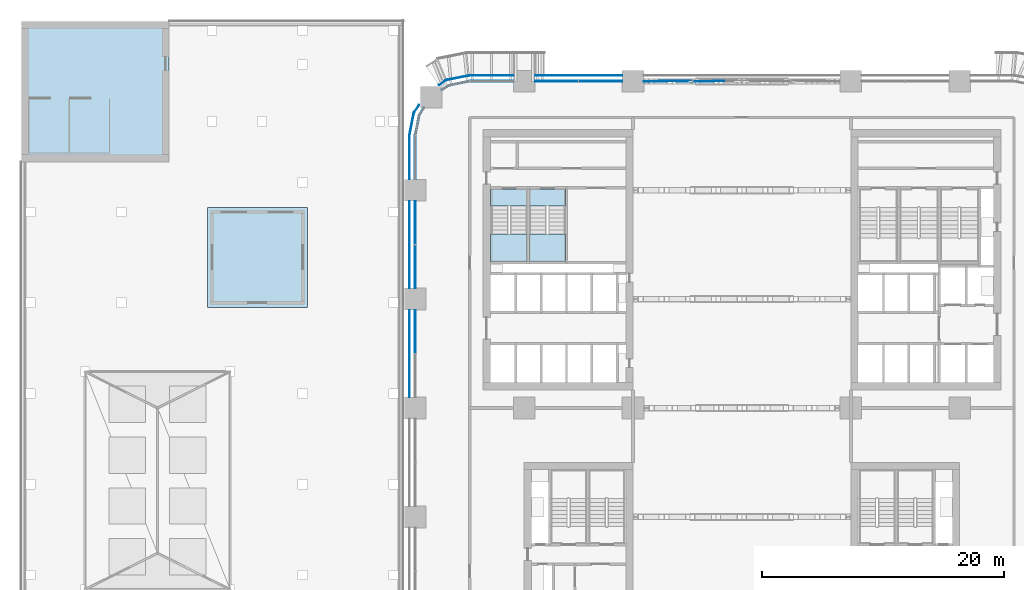
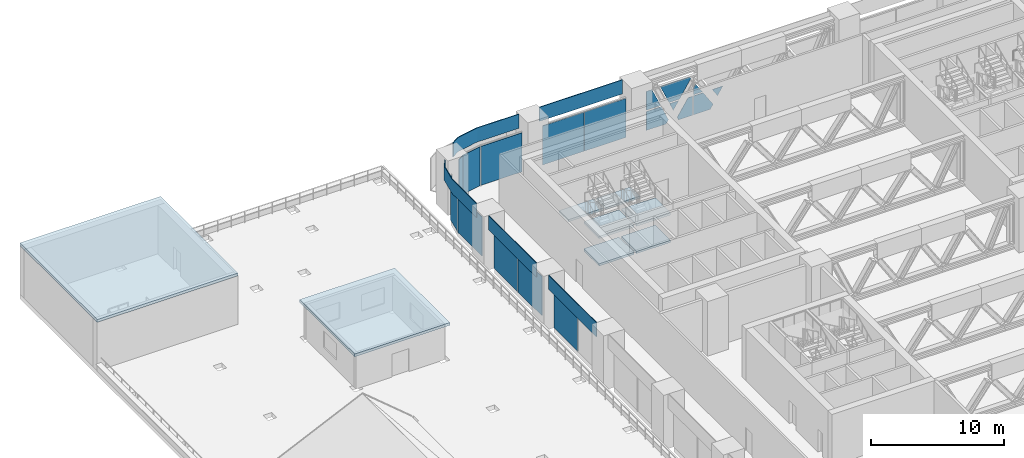
# One storey, part 16 of 35: 22 plates, 8 slabs, 8 elements without a shape of their own.
"""IFC4 building model written with IfcOpenShell, lengths in metres."""

from ifc_helpers import new_model, si_unit, direction, frame, origin, origin_2d, place, context, subcontext, project, spatial, polyline, rectangle, outline, extrude, material, layer, layer_set, type_object, element, aggregate, save


model = new_model("IFC4")

# Units and contexts
model_context = context("Model", 3, precision=1e-05, world=origin(), true_north=direction((0.0, 1.0)))
body_context = subcontext(model_context, "Body", "Model", "MODEL_VIEW")
ifc_project = project(units=[si_unit("LENGTHUNIT", "METRE"), si_unit("AREAUNIT", "SQUARE_METRE"), si_unit("VOLUMEUNIT", "CUBIC_METRE"), si_unit("PLANEANGLEUNIT", "RADIAN"), si_unit("MASSUNIT", "GRAM", prefix="KILO")], contexts=[model_context])

# Site, building, storey
site_placement = place(None, origin())
site = spatial("IfcSite", under=ifc_project, at=site_placement, CompositionType="ELEMENT")
building_placement = place(site_placement, origin())
building = spatial("IfcBuilding", under=site, at=building_placement, Name="Tessera Arch", CompositionType="ELEMENT")
storey_placement = place(building_placement, frame((0.0, 0.0, 26.0)))
storey = spatial("IfcBuildingStorey", under=building, at=storey_placement, Name="L04", CompositionType="ELEMENT", Elevation=26.0)

# Curtain wall, plates
ifc_material_1 = material(Name="CW4 curtain wall")
curtain_wall_type_1 = type_object("IfcCurtainWallType", Name="CW4 curtain wall", PredefinedType="NOTDEFINED", material=ifc_material_1)
curtain_wall_1_placement = place(storey_placement, origin())
curtain_wall_1 = element("IfcCurtainWall", 1, at=curtain_wall_1_placement, inside=storey, type_object=curtain_wall_type_1, Name="CW4 curtain wall N54.0/2 L04", PredefinedType="NOTDEFINED")
ifc_material_2 = material(Name="Clear low-e glass", Category="glass")
ifc_layer_1 = layer(ifc_material_2, 0.028076171875)
ifc_layer_set_1 = layer_set([ifc_layer_1], Name="CW4 glass panel")
plate_type_1 = type_object("IfcPlateType", Name="CW4 glass panel", PredefinedType="CURTAIN_PANEL", material=ifc_layer_set_1)
plate_1_placement = place(storey_placement, frame((24.623291015625, 54.0419921875, 1.72998046875), z_axis=(0.0, 1.0, 0.0), x_axis=(1.0, 0.0, 0.0)))
plate_1 = element("IfcPlate", 2, at=plate_1_placement, type_object=plate_type_1, Name="CW4 fitted glass panel N54.0/2 14", PredefinedType="CURTAIN_PANEL", context=body_context, shape_type="SweptSolid", body=[
    extrude(outline(polyline([(0.0, 0.0), (0.920654296875, 0.0), (0.460205078125, 0.720947265625), (0.0, 0.0)])), origin(), (0.0, 0.0, -1.0), 0.028076171875),
])
plate_2_placement = place(storey_placement, frame((22.989990234375, 54.013916015625, 1.72998046875), z_axis=(0.0, 1.0, 0.0), x_axis=(1.0, 0.0, 0.0)))
plate_2 = element("IfcPlate", 3, at=plate_2_placement, type_object=plate_type_1, Name="CW4 fitted glass panel N54.0/2 15", PredefinedType="CURTAIN_PANEL", context=body_context, shape_type="SweptSolid", body=[
    extrude(outline(polyline([(0.0, 0.0), (0.834716796875, 0.0), (1.6943359375, 1.346435546875), (1.449462890625, 1.72998046875), (0.0, 1.72998046875), (0.0, 0.0)])), origin(), (0.0, 0.0, -1.0), 0.028076171875),
])
plate_3_placement = place(storey_placement, frame((22.989990234375, 54.013916015625, 1.85009765625), z_axis=(0.0, 1.0, 0.0), x_axis=(0.0, 0.0, 1.0)))
plate_3 = element("IfcPlate", 4, at=plate_3_placement, type_object=plate_type_1, Name="CW4 fitted glass panel N54.0/2 18", PredefinedType="CURTAIN_PANEL", context=body_context, shape_type="SweptSolid", body=[
    extrude(outline(polyline([(0.0, 0.0), (0.63232421875, 0.0), (0.909912109375, 0.17724609375), (0.0, 0.758056640625), (0.0, 0.0)])), origin(), (0.0, 0.0, -1.0), 0.028076171875),
])
plate_4_placement = place(storey_placement, frame((22.909912109375, 54.013916015625, 0.0), z_axis=(0.0, 1.0, 0.0), x_axis=(-1.0, 0.0, 0.0)))
plate_4 = element("IfcPlate", 5, at=plate_4_placement, type_object=plate_type_1, Name="CW4 fitted glass panel N54.0/2 19", PredefinedType="CURTAIN_PANEL", context=body_context, shape_type="SweptSolid", body=[
    extrude(outline(polyline([(0.0, 0.0), (1.21630859375, 0.0), (1.333984375, 0.267333984375), (0.400146484375, 1.72998046875), (0.0, 1.72998046875), (0.0, 0.0)])), origin(), (0.0, 0.0, -1.0), 0.028076171875),
])
plate_5_placement = place(storey_placement, frame((20.932861328125, 54.0419921875, 1.72998046875), z_axis=(0.0, 1.0, 0.0), x_axis=(1.0, 0.0, 0.0)))
plate_5 = element("IfcPlate", 6, at=plate_5_placement, type_object=plate_type_1, Name="CW4 fitted glass panel N54.0/2 20", PredefinedType="CURTAIN_PANEL", context=body_context, shape_type="SweptSolid", body=[
    extrude(outline(polyline([(0.0, 0.0), (0.7783203125, 0.0), (0.3173828125, 0.721923828125), (0.0, 0.0)])), origin(), (0.0, 0.0, -1.0), 0.028076171875),
])
plate_6_placement = place(storey_placement, frame((18.89990234375, 54.013916015625, 1.72998046875), z_axis=(0.0, 1.0, 0.0), x_axis=(1.0, 0.0, 0.0)))
plate_6 = element("IfcPlate", 7, at=plate_6_placement, type_object=plate_type_1, Name="CW4 fitted glass panel N54.0/2 21", PredefinedType="CURTAIN_PANEL", context=body_context, shape_type="SweptSolid", body=[
    extrude(outline(polyline([(0.0, 0.0), (1.297607421875, 0.0), (1.9150390625, 1.40380859375), (1.706787109375, 1.72998046875), (0.0, 1.72998046875), (0.0, 0.0)])), origin(), (0.0, 0.0, -1.0), 0.028076171875),
])
plate_7_placement = place(storey_placement, frame((20.119384765625, 54.0419921875, 3.580078125), z_axis=(0.0, 1.0, 0.0), x_axis=(1.0, 0.0, 0.0)))
plate_7 = element("IfcPlate", 8, at=plate_7_placement, type_object=plate_type_1, Name="CW4 fitted glass panel N54.0/2 23", PredefinedType="CURTAIN_PANEL", context=body_context, shape_type="SweptSolid", body=[
    extrude(outline(polyline([(0.0, 0.0), (2.5244140625, 0.0), (2.648681640625, 0.194580078125), (1.66845703125, 1.72998046875), (0.7607421875, 1.72998046875), (0.0, 0.0)])), origin(), (0.0, 0.0, -1.0), 0.028076171875),
])
plate_8_placement = place(storey_placement, frame((18.89990234375, 54.013916015625, 3.580078125), z_axis=(0.0, 1.0, 0.0), x_axis=(1.0, 0.0, 0.0)))
plate_8 = element("IfcPlate", 9, at=plate_8_placement, type_object=plate_type_1, Name="CW4 fitted glass panel N54.0/2 24", PredefinedType="CURTAIN_PANEL", context=body_context, shape_type="SweptSolid", body=[
    extrude(outline(polyline([(0.0, 0.0), (0.484375, 0.0), (1.244873046875, 1.72998046875), (0.0, 1.72998046875), (0.0, 0.0)])), origin(), (0.0, 0.0, -1.0), 0.028076171875),
])
aggregate(curtain_wall_1, [plate_1, plate_2, plate_3, plate_4, plate_5, plate_6, plate_7, plate_8])

ifc_material_3 = material(Name="CW7 curtain wall")
curtain_wall_type_2 = type_object("IfcCurtainWallType", Name="CW7 curtain wall", PredefinedType="NOTDEFINED", material=ifc_material_3)
curtain_wall_2_placement = place(storey_placement, origin())
curtain_wall_2 = element("IfcCurtainWall", 10, at=curtain_wall_2_placement, inside=storey, type_object=curtain_wall_type_2, Name="CW7 curtain wall N54.0/3 L04", PredefinedType="NOTDEFINED")
ifc_material_4 = material(Name="Pale anodised aluminium panel", Category="aluminium")
ifc_layer_2 = layer(ifc_material_4, 0.06005859375)
ifc_layer_set_2 = layer_set([ifc_layer_2], Name="CW7 plant wall panel")
plate_type_2 = type_object("IfcPlateType", Name="CW7 plant wall panel", PredefinedType="CURTAIN_PANEL", material=ifc_layer_set_2)
plate_9_placement = place(storey_placement, frame((15.31494140625, 54.0, 0.0), z_axis=(0.0, 0.0, 1.0), x_axis=(-1.0, 0.0, 0.0)))
plate_9 = element("IfcPlate", 11, at=plate_9_placement, type_object=plate_type_2, Name="CW7 plant wall panel N54.0/3 1.1.1", PredefinedType="CURTAIN_PANEL", context=body_context, shape_type="SweptSolid", body=[
    extrude(rectangle(XDim=3.570068359375, YDim=0.06005859375, at=origin_2d()), origin(), (0.0, 0.0, 1.0), 3.580078125),
])
plate_10_placement = place(storey_placement, frame((11.68505859375, 54.0, 0.0), z_axis=(0.0, 0.0, 1.0), x_axis=(-1.0, 0.0, 0.0)))
plate_10 = element("IfcPlate", 12, at=plate_10_placement, type_object=plate_type_2, Name="CW7 plant wall panel N54.0/3 1.2.1", PredefinedType="CURTAIN_PANEL", context=body_context, shape_type="SweptSolid", body=[
    extrude(rectangle(XDim=3.570068359375, YDim=0.06005859375, at=origin_2d()), origin(), (0.0, 0.0, 1.0), 3.580078125),
])

curtain_wall_3_placement = place(storey_placement, origin())
curtain_wall_3 = element("IfcCurtainWall", 13, at=curtain_wall_3_placement, inside=storey, type_object=curtain_wall_type_2, Name="CW7 curtain wall N54.0/4 L04", PredefinedType="NOTDEFINED")
plate_11_placement = place(storey_placement, frame((6.31494140625, 54.0, 0.0), z_axis=(0.0, 0.0, 1.0), x_axis=(-1.0, 0.0, 0.0)))
plate_11 = element("IfcPlate", 14, at=plate_11_placement, type_object=plate_type_2, Name="CW7 plant wall panel N54.0/4 1.1", PredefinedType="CURTAIN_PANEL", context=body_context, shape_type="SweptSolid", body=[
    extrude(rectangle(XDim=3.570068359375, YDim=0.06005859375, at=origin_2d()), origin(), (0.0, 0.0, 1.0), 3.580078125),
])
plate_12_placement = place(storey_placement, origin())
plate_12 = element("IfcPlate", 15, at=plate_12_placement, type_object=plate_type_2, Name="CW7 curved plant wall panel N54.0/4 2.1", PredefinedType="CURTAIN_PANEL", context=body_context, shape_type="SweptSolid", body=[
    extrude(outline(polyline([(2.78955078125, 53.629150390625), (4.476318359375, 53.96484375), (4.46484375, 54.023681640625), (2.76611328125, 53.685791015625), (2.201416015625, 53.308349609375), (2.234619140625, 53.25830078125), (2.78955078125, 53.629150390625)])), origin(), (0.0, 0.0, 1.0), 3.580078125),
])

curtain_wall_4_placement = place(storey_placement, origin())
curtain_wall_4 = element("IfcCurtainWall", 16, at=curtain_wall_4_placement, inside=storey, type_object=curtain_wall_type_2, Name="CW7 curtain wall W0.0/0 L04", PredefinedType="NOTDEFINED")
plate_13_placement = place(storey_placement, frame((0.0, 47.68505859375, 0.0), z_axis=(0.0, 0.0, 1.0), x_axis=(0.0, -1.0, 0.0)))
plate_13 = element("IfcPlate", 17, at=plate_13_placement, type_object=plate_type_2, Name="CW7 plant wall panel W0.0/0 1.1", PredefinedType="CURTAIN_PANEL", context=body_context, shape_type="SweptSolid", body=[
    extrude(rectangle(XDim=3.570068359375, YDim=0.06005859375, at=origin_2d()), origin(), (0.0, 0.0, 1.0), 3.580078125),
])
plate_14_placement = place(storey_placement, origin())
plate_14 = element("IfcPlate", 18, at=plate_14_placement, type_object=plate_type_2, Name="CW7 curved plant wall panel W0.0/0 2.1", PredefinedType="CURTAIN_PANEL", context=body_context, shape_type="SweptSolid", body=[
    extrude(outline(polyline([(0.370849609375, 51.21044921875), (0.74169921875, 51.765380859375), (0.691650390625, 51.798583984375), (0.314208984375, 51.23388671875), (-0.023681640625, 49.53515625), (0.03515625, 49.523681640625), (0.370849609375, 51.21044921875)])), origin(), (0.0, 0.0, 1.0), 3.580078125),
])

curtain_wall_5_placement = place(storey_placement, origin())
curtain_wall_5 = element("IfcCurtainWall", 19, at=curtain_wall_5_placement, inside=storey, type_object=curtain_wall_type_2, Name="CW7 curtain wall W0.0/1 L04", PredefinedType="NOTDEFINED")
plate_15_placement = place(storey_placement, frame((0.0, 42.31494140625, 0.0), z_axis=(0.0, 0.0, 1.0), x_axis=(0.0, -1.0, 0.0)))
plate_15 = element("IfcPlate", 20, at=plate_15_placement, type_object=plate_type_2, Name="CW7 plant wall panel W0.0/1 1.1.1", PredefinedType="CURTAIN_PANEL", context=body_context, shape_type="SweptSolid", body=[
    extrude(rectangle(XDim=3.570068359375, YDim=0.06005859375, at=origin_2d()), origin(), (0.0, 0.0, 1.0), 3.580078125),
])
plate_16_placement = place(storey_placement, frame((0.0, 38.68505859375, 0.0), z_axis=(0.0, 0.0, 1.0), x_axis=(0.0, -1.0, 0.0)))
plate_16 = element("IfcPlate", 21, at=plate_16_placement, type_object=plate_type_2, Name="CW7 plant wall panel W0.0/1 1.2.1", PredefinedType="CURTAIN_PANEL", context=body_context, shape_type="SweptSolid", body=[
    extrude(rectangle(XDim=3.570068359375, YDim=0.06005859375, at=origin_2d()), origin(), (0.0, 0.0, 1.0), 3.580078125),
])

# Curtain wall, plate
curtain_wall_6_placement = place(storey_placement, origin())
curtain_wall_6 = element("IfcCurtainWall", 22, at=curtain_wall_6_placement, inside=storey, type_object=curtain_wall_type_2, Name="CW7 curtain wall W0.0/2 L04", PredefinedType="NOTDEFINED")
plate_17_placement = place(storey_placement, frame((0.0, 33.31494140625, 0.0), z_axis=(0.0, 0.0, 1.0), x_axis=(0.0, -1.0, 0.0)))
plate_17 = element("IfcPlate", 23, at=plate_17_placement, type_object=plate_type_2, Name="CW7 plant wall panel W0.0/2 1.1.1", PredefinedType="CURTAIN_PANEL", context=body_context, shape_type="SweptSolid", body=[
    extrude(rectangle(XDim=3.570068359375, YDim=0.06005859375, at=origin_2d()), origin(), (0.0, 0.0, 1.0), 3.580078125),
])

# Plate
ifc_material_5 = material(Name="Pale anodised aluminium panel", Category="aluminium")
ifc_layer_3 = layer(ifc_material_5, 0.06005859375)
ifc_layer_set_3 = layer_set([ifc_layer_3], Name="CW7 spandrel panel")
plate_type_3 = type_object("IfcPlateType", Name="CW7 spandrel panel", PredefinedType="CURTAIN_PANEL", material=ifc_layer_set_3)
plate_18_placement = place(storey_placement, frame((13.5, 54.47998046875, 3.7001953125), z_axis=(0.0, 0.0, 1.0), x_axis=(-1.0, 0.0, 0.0)))
plate_18 = element("IfcPlate", 24, at=plate_18_placement, type_object=plate_type_3, Name="CW7 spandrel panel N54.0/3", PredefinedType="CURTAIN_PANEL", context=body_context, shape_type="SweptSolid", body=[
    extrude(rectangle(XDim=7.199951171875, YDim=0.06005859375, at=origin_2d()), origin(), (0.0, 0.0, 1.0), 1.300048828125),
])

aggregate(curtain_wall_2, [plate_9, plate_10, plate_18])

plate_19_placement = place(storey_placement, frame((0.0, 0.0, 3.699951171875)))
plate_19 = element("IfcPlate", 25, at=plate_19_placement, type_object=plate_type_3, Name="CW7 spandrel panel N54.0/4", PredefinedType="CURTAIN_PANEL", context=body_context, shape_type="SweptSolid", body=[
    extrude(outline(polyline([(4.500732421875, 54.449951171875), (8.10009765625, 54.449951171875), (8.10009765625, 54.510009765625), (4.499267578125, 54.510009765625), (4.449951171875, 54.507568359375), (4.401123046875, 54.500244140625), (2.677734375, 54.157470703125), (2.6298828125, 54.1455078125), (2.582763671875, 54.128662109375), (2.537353515625, 54.107177734375), (2.4951171875, 54.08203125), (1.9345703125, 53.707275390625), (1.968017578125, 53.657470703125), (2.52734375, 54.03125), (2.565673828125, 54.05419921875), (2.605712890625, 54.0732421875), (2.647216796875, 54.088134765625), (2.69091796875, 54.09912109375), (4.411376953125, 54.441162109375), (4.455810546875, 54.44775390625), (4.500732421875, 54.449951171875)])), origin(), (0.0, 0.0, 1.0), 1.300048828125),
])

aggregate(curtain_wall_3, [plate_11, plate_12, plate_19])

plate_20_placement = place(storey_placement, frame((0.0, 0.0, 3.699951171875)))
plate_20 = element("IfcPlate", 26, at=plate_20_placement, type_object=plate_type_3, Name="CW7 spandrel panel W0.0/0", PredefinedType="CURTAIN_PANEL", context=body_context, shape_type="SweptSolid", body=[
    extrude(outline(polyline([(-0.03125, 51.47265625), (0.342529296875, 52.031982421875), (0.292724609375, 52.0654296875), (-0.08203125, 51.5048828125), (-0.107177734375, 51.462646484375), (-0.128662109375, 51.417236328125), (-0.1455078125, 51.3701171875), (-0.157470703125, 51.322265625), (-0.500244140625, 49.598876953125), (-0.507568359375, 49.550048828125), (-0.510009765625, 49.500732421875), (-0.510009765625, 45.89990234375), (-0.449951171875, 45.89990234375), (-0.449951171875, 49.499267578125), (-0.44775390625, 49.544189453125), (-0.441162109375, 49.588623046875), (-0.09912109375, 51.30908203125), (-0.088134765625, 51.352783203125), (-0.0732421875, 51.394287109375), (-0.05419921875, 51.434326171875), (-0.03125, 51.47265625)])), origin(), (0.0, 0.0, 1.0), 1.300048828125),
])

aggregate(curtain_wall_4, [plate_13, plate_14, plate_20])

plate_21_placement = place(storey_placement, frame((-0.47998046875, 40.5, 3.7001953125), z_axis=(0.0, 0.0, 1.0), x_axis=(0.0, -1.0, 0.0)))
plate_21 = element("IfcPlate", 27, at=plate_21_placement, type_object=plate_type_3, Name="CW7 spandrel panel W0.0/1", PredefinedType="CURTAIN_PANEL", context=body_context, shape_type="SweptSolid", body=[
    extrude(rectangle(XDim=7.199951171875, YDim=0.06005859375, at=origin_2d()), origin(), (0.0, 0.0, 1.0), 1.300048828125),
])

aggregate(curtain_wall_5, [plate_15, plate_16, plate_21])

plate_22_placement = place(storey_placement, frame((-0.47998046875, 31.5, 3.7001953125), z_axis=(0.0, 0.0, 1.0), x_axis=(0.0, -1.0, 0.0)))
plate_22 = element("IfcPlate", 28, at=plate_22_placement, type_object=plate_type_3, Name="CW7 spandrel panel W0.0/2", PredefinedType="CURTAIN_PANEL", context=body_context, shape_type="SweptSolid", body=[
    extrude(rectangle(XDim=7.199951171875, YDim=0.06005859375, at=origin_2d()), origin(), (0.0, 0.0, 1.0), 1.300048828125),
])

aggregate(curtain_wall_6, [plate_17, plate_22])

# Slabs
ifc_material_6 = material(Name="Concrete C40/50", Category="concrete")
ifc_layer_4 = layer(ifc_material_6, 0.25)
ifc_layer_set_4 = layer_set([ifc_layer_4], Name="Museum core roof slab 250 Concrete C40/50")
slab_type_1 = type_object("IfcSlabType", Name="Museum core roof slab 250 Concrete C40/50", PredefinedType="ROOF", material=ifc_layer_set_4)
slab_1_placement = place(storey_placement, frame((0.0, 0.0, 4.449951171875)))
element("IfcSlab", 29, at=slab_1_placement, inside=storey, type_object=slab_type_1, Name="Museum core roof slab M1", PredefinedType="ROOF", context=body_context, shape_type="SweptSolid", body=[
    extrude(outline(polyline([(-32.550048828125, 47.35009765625), (-20.35009765625, 47.35009765625), (-20.35009765625, 58.949951171875), (-32.550048828125, 58.949951171875), (-32.550048828125, 47.35009765625)])), origin(), (0.0, 0.0, 1.0), 0.25),
])
ifc_material_7 = material(Name="Concrete C40/50", Category="concrete")
ifc_layer_5 = layer(ifc_material_7, 0.25)
ifc_layer_set_5 = layer_set([ifc_layer_5], Name="Pavilion roof slab")
slab_type_2 = type_object("IfcSlabType", Name="Pavilion roof slab", PredefinedType="ROOF", material=ifc_layer_set_5)
slab_2_placement = place(storey_placement, frame((0.0, 0.0, 3.199951171875)))
element("IfcSlab", 30, at=slab_2_placement, inside=storey, type_object=slab_type_2, Name="Roof terrace pavilion roof", PredefinedType="ROOF", context=body_context, shape_type="SweptSolid", body=[
    extrude(outline(polyline([(-17.175048828125, 35.324951171875), (-8.925048828125, 35.324951171875), (-8.925048828125, 43.574951171875), (-17.175048828125, 43.574951171875), (-17.175048828125, 35.324951171875)])), origin(), (0.0, 0.0, 1.0), 0.25),
])

# Stair, slabs
ifc_material_8 = material(Name="Concrete C40/50", Category="concrete")
stair_type = type_object("IfcStairType", Name="Dogleg stair 1400", PredefinedType="HALF_TURN_STAIR", material=ifc_material_8)
stair_1_placement = place(storey_placement, origin())
stair_1 = element("IfcStair", 31, at=stair_1_placement, inside=storey, type_object=stair_type, Name="L04 S2a", PredefinedType="HALF_TURN_STAIR")
ifc_material_9 = material(Name="Concrete C40/50", Category="concrete")
ifc_layer_6 = layer(ifc_material_9, 0.300048828125)
ifc_layer_set_6 = layer_set([ifc_layer_6], Name="Stair landing 300")
slab_type_3 = type_object("IfcSlabType", Name="Stair landing 300", PredefinedType="LANDING", material=ifc_layer_set_6)
slab_3_placement = place(storey_placement, frame((0.0, 0.0, 1.050048828125)))
slab_3 = element("IfcSlab", 32, at=slab_3_placement, type_object=slab_type_3, Name="S2a landing 1", PredefinedType="LANDING", context=body_context, shape_type="SweptSolid", body=[
    extrude(outline(polyline([(6.199951171875, 41.389892578125), (6.199951171875, 39.10009765625), (9.25, 39.10009765625), (9.25, 41.389892578125), (6.199951171875, 41.389892578125)])), origin(), (0.0, 0.0, 1.0), 0.199951171875),
])
slab_4_placement = place(storey_placement, frame((0.0, 0.0, 2.300048828125)))
slab_4 = element("IfcSlab", 33, at=slab_4_placement, type_object=slab_type_3, Name="S2a landing 2", PredefinedType="LANDING", context=body_context, shape_type="SweptSolid", body=[
    extrude(outline(polyline([(6.199951171875, 45.10009765625), (6.199951171875, 43.699951171875), (9.25, 43.699951171875), (9.25, 45.10009765625), (6.199951171875, 45.10009765625)])), origin(), (0.0, 0.0, 1.0), 0.199951171875),
])
slab_5_placement = place(storey_placement, frame((0.0, 0.0, 3.550048828125)))
slab_5 = element("IfcSlab", 34, at=slab_5_placement, type_object=slab_type_3, Name="S2a landing 3", PredefinedType="LANDING", context=body_context, shape_type="SweptSolid", body=[
    extrude(outline(polyline([(6.199951171875, 41.389892578125), (6.199951171875, 39.10009765625), (9.25, 39.10009765625), (9.25, 41.389892578125), (6.199951171875, 41.389892578125)])), origin(), (0.0, 0.0, 1.0), 0.199951171875),
])
aggregate(stair_1, [slab_3, slab_4, slab_5])

stair_2_placement = place(storey_placement, origin())
stair_2 = element("IfcStair", 35, at=stair_2_placement, inside=storey, type_object=stair_type, Name="L04 S2b", PredefinedType="HALF_TURN_STAIR")
slab_6_placement = place(storey_placement, frame((0.0, 0.0, 1.050048828125)))
slab_6 = element("IfcSlab", 36, at=slab_6_placement, type_object=slab_type_3, Name="S2b landing 1", PredefinedType="LANDING", context=body_context, shape_type="SweptSolid", body=[
    extrude(outline(polyline([(9.449951171875, 41.389892578125), (9.449951171875, 39.10009765625), (12.39990234375, 39.10009765625), (12.39990234375, 41.389892578125), (9.449951171875, 41.389892578125)])), origin(), (0.0, 0.0, 1.0), 0.199951171875),
])
slab_7_placement = place(storey_placement, frame((0.0, 0.0, 2.300048828125)))
slab_7 = element("IfcSlab", 37, at=slab_7_placement, type_object=slab_type_3, Name="S2b landing 2", PredefinedType="LANDING", context=body_context, shape_type="SweptSolid", body=[
    extrude(outline(polyline([(9.449951171875, 45.10009765625), (9.449951171875, 43.699951171875), (12.39990234375, 43.699951171875), (12.39990234375, 45.10009765625), (9.449951171875, 45.10009765625)])), origin(), (0.0, 0.0, 1.0), 0.199951171875),
])
slab_8_placement = place(storey_placement, frame((0.0, 0.0, 3.550048828125)))
slab_8 = element("IfcSlab", 38, at=slab_8_placement, type_object=slab_type_3, Name="S2b landing 3", PredefinedType="LANDING", context=body_context, shape_type="SweptSolid", body=[
    extrude(outline(polyline([(9.449951171875, 41.389892578125), (9.449951171875, 39.10009765625), (12.39990234375, 39.10009765625), (12.39990234375, 41.389892578125), (9.449951171875, 41.389892578125)])), origin(), (0.0, 0.0, 1.0), 0.199951171875),
])
aggregate(stair_2, [slab_6, slab_7, slab_8])

save(model, "model.ifc")
